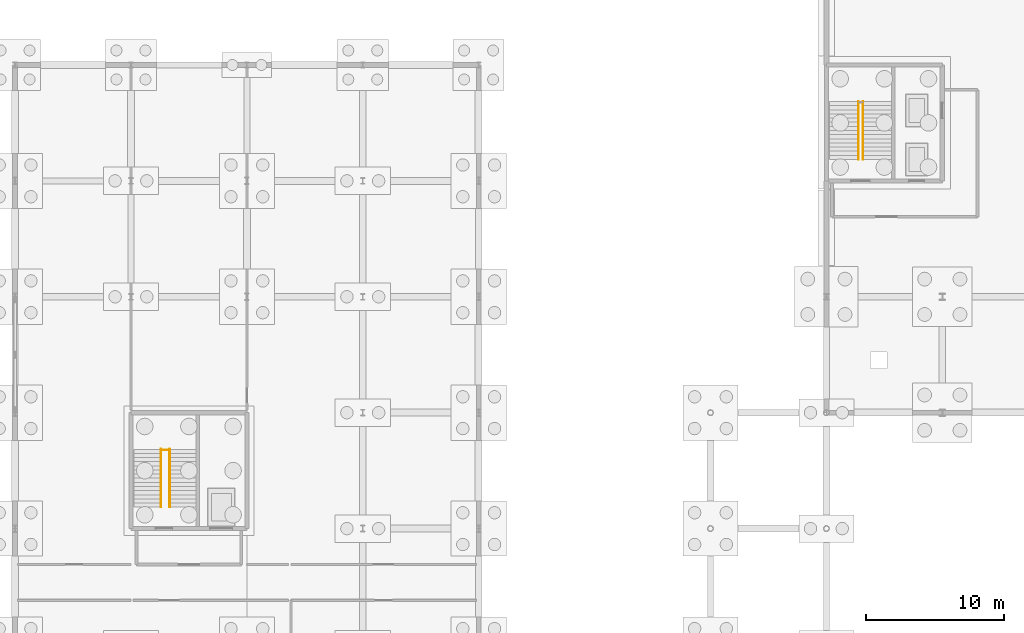
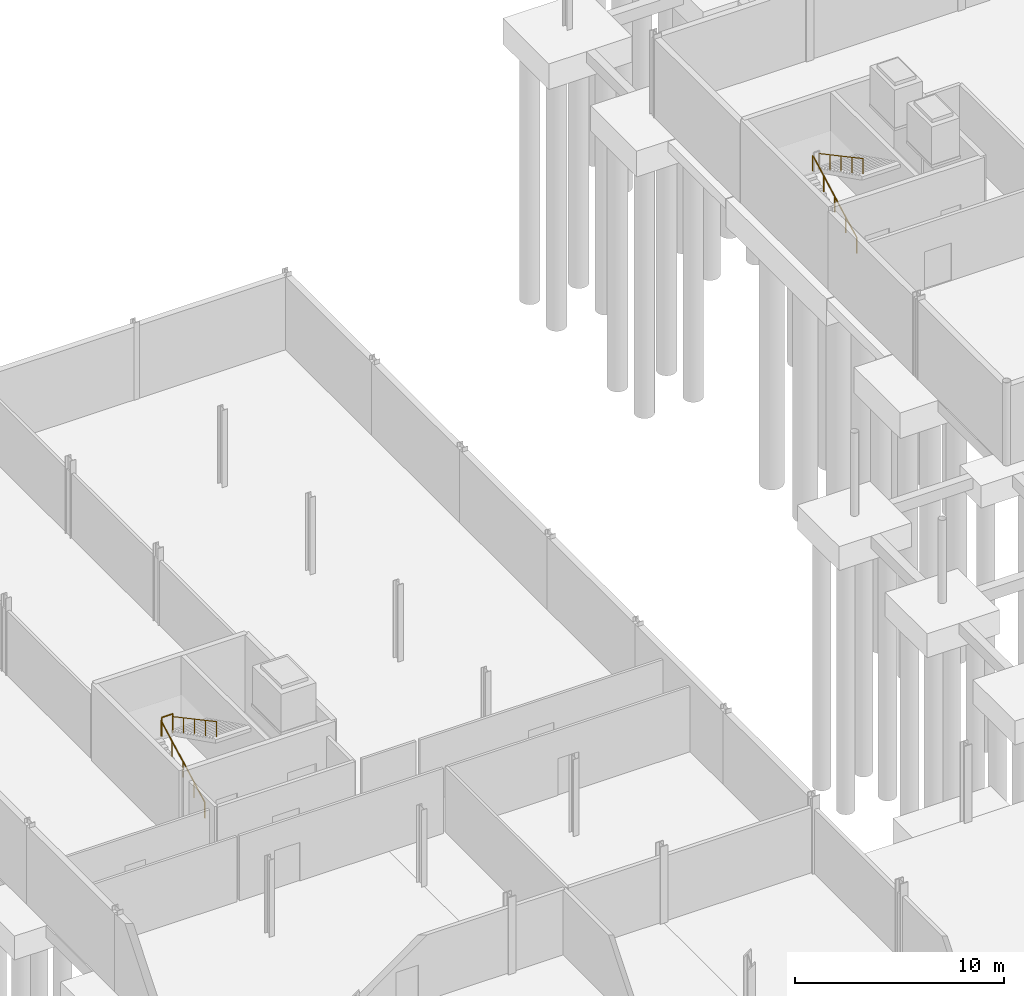
# One storey, part 47 of 51: 5 railings.
"""IFC4 building model written with IfcOpenShell, lengths in metres."""

from ifc_helpers import new_model, si_unit, direction, frame, origin, origin_2d, place, context, subcontext, project, spatial, circle, extrude, material, type_object, element, save


model = new_model("IFC4")

# Units and contexts
model_context = context("Model", 3, precision=1e-05, world=origin(), true_north=direction((0.0, 1.0)))
body_context = subcontext(model_context, "Body", "Model", "MODEL_VIEW")
ifc_project = project(units=[si_unit("LENGTHUNIT", "METRE"), si_unit("AREAUNIT", "SQUARE_METRE"), si_unit("VOLUMEUNIT", "CUBIC_METRE"), si_unit("PLANEANGLEUNIT", "RADIAN"), si_unit("MASSUNIT", "GRAM", prefix="KILO")], contexts=[model_context])

# Site, building, storey
site_placement = place(None, origin())
site = spatial("IfcSite", under=ifc_project, at=site_placement, CompositionType="ELEMENT")
building_placement = place(site_placement, origin())
building = spatial("IfcBuilding", under=site, at=building_placement, Name="Qalvenar Corner Mobility Hub", CompositionType="ELEMENT")
storey_placement = place(building_placement, frame((0.0, 0.0, -4.5)))
storey = spatial("IfcBuildingStorey", under=building, at=storey_placement, Name="B1", CompositionType="ELEMENT", Elevation=-4.5)

# Railings
ifc_material_1 = material(Name="Art Nouveau Bronze-Finished Steel Balustrade", Category="steel")
railing_type_1 = type_object("IfcRailingType", Name="RL-GUARD-110", PredefinedType="GUARDRAIL", material=ifc_material_1)
railing_1_placement = place(storey_placement, frame((10.590087890625, 64.5, 2.25)))
element("IfcRailing", 1, at=railing_1_placement, inside=storey, type_object=railing_type_1, Name="Stair Half-Landing Well Guard ST5-B1", PredefinedType="GUARDRAIL", context=body_context, shape_type="SweptSolid", body=[
    extrude(circle(Radius=0.02392578125, at=origin_2d()), frame((0.0, 0.0, 1.09619140625), z_axis=(1.0, 0.0, 0.0), x_axis=(0.0, 1.0, 0.0)), (0.0, 0.0, 1.0), 0.599853515625),
    extrude(circle(Radius=0.02099609375, at=origin_2d()), origin(), (0.0, 0.0, 1.0), 1.072021484375),
    extrude(circle(Radius=0.02099609375, at=origin_2d()), frame((0.599853515625, 0.0, 0.0)), (0.0, 0.0, 1.0), 1.072021484375),
])
ifc_material_2 = material(Name="Brushed Stainless Steel Handrail", Category="steel")
railing_type_2 = type_object("IfcRailingType", Name="RL-HAND-092", PredefinedType="HANDRAIL", material=ifc_material_2)
railing_2_placement = place(storey_placement, frame((61.1201171875, 85.550048828125, 0.0)))
element("IfcRailing", 2, at=railing_2_placement, inside=storey, type_object=railing_type_2, Name="Stair Handrail ST3-B1-1", PredefinedType="HANDRAIL", context=body_context, shape_type="SweptSolid", body=[
    extrude(circle(Radius=0.02392578125, at=origin_2d()), frame((0.0, 0.0, 0.89599609375), z_axis=(0.0, 0.881477684796, 0.472225678258), x_axis=(-1.0, 0.0, 0.0)), (0.0, 0.0, 1.0), 4.7646484375),
    extrude(circle(Radius=0.02099609375, at=origin_2d()), origin(), (0.0, 0.0, 1.0), 0.871826171875),
    extrude(circle(Radius=0.02099609375, at=origin_2d()), frame((0.0, 1.050048828125, 0.5625)), (0.0, 0.0, 1.0), 0.871826171875),
    extrude(circle(Radius=0.02099609375, at=origin_2d()), frame((0.0, 2.10009765625, 1.125)), (0.0, 0.0, 1.0), 0.871826171875),
    extrude(circle(Radius=0.02099609375, at=origin_2d()), frame((0.0, 3.14990234375, 1.6875)), (0.0, 0.0, 1.0), 0.871826171875),
    extrude(circle(Radius=0.02099609375, at=origin_2d()), frame((0.0, 4.199951171875, 2.25)), (0.0, 0.0, 1.0), 0.871826171875),
])
railing_3_placement = place(storey_placement, frame((61.4599609375, 89.75, 2.25)))
element("IfcRailing", 3, at=railing_3_placement, inside=storey, type_object=railing_type_2, Name="Stair Handrail ST3-B1-2", PredefinedType="HANDRAIL", context=body_context, shape_type="SweptSolid", body=[
    extrude(circle(Radius=0.02392578125, at=origin_2d()), frame((0.0, 0.0, 0.89599609375), z_axis=(0.0, -0.881477684796, 0.472225678258), x_axis=(1.0, 0.0, 0.0)), (0.0, 0.0, 1.0), 4.7646484375),
    extrude(circle(Radius=0.02099609375, at=origin_2d()), origin(), (0.0, 0.0, 1.0), 0.871826171875),
    extrude(circle(Radius=0.02099609375, at=origin_2d()), frame((0.0, -1.050048828125, 0.5625)), (0.0, 0.0, 1.0), 0.871826171875),
    extrude(circle(Radius=0.02099609375, at=origin_2d()), frame((0.0, -2.10009765625, 1.125)), (0.0, 0.0, 1.0), 0.871826171875),
    extrude(circle(Radius=0.02099609375, at=origin_2d()), frame((0.0, -3.14990234375, 1.6875)), (0.0, 0.0, 1.0), 0.871826171875),
    extrude(circle(Radius=0.02099609375, at=origin_2d()), frame((0.0, -4.199951171875, 2.25)), (0.0, 0.0, 1.0), 0.871826171875),
])
railing_4_placement = place(storey_placement, frame((10.570068359375, 60.35009765625, 0.0)))
element("IfcRailing", 4, at=railing_4_placement, inside=storey, type_object=railing_type_2, Name="Stair Handrail ST5-B1-1", PredefinedType="HANDRAIL", context=body_context, shape_type="SweptSolid", body=[
    extrude(circle(Radius=0.02392578125, at=origin_2d()), frame((0.0, 0.0, 0.89599609375), z_axis=(0.0, 0.881477684796, 0.472225678258), x_axis=(-1.0, 0.0, 0.0)), (0.0, 0.0, 1.0), 4.7646484375),
    extrude(circle(Radius=0.02099609375, at=origin_2d()), origin(), (0.0, 0.0, 1.0), 0.871826171875),
    extrude(circle(Radius=0.02099609375, at=origin_2d()), frame((0.0, 1.050048828125, 0.5625)), (0.0, 0.0, 1.0), 0.871826171875),
    extrude(circle(Radius=0.02099609375, at=origin_2d()), frame((0.0, 2.10009765625, 1.125)), (0.0, 0.0, 1.0), 0.871826171875),
    extrude(circle(Radius=0.02099609375, at=origin_2d()), frame((0.0, 3.14990234375, 1.6875)), (0.0, 0.0, 1.0), 0.871826171875),
    extrude(circle(Radius=0.02099609375, at=origin_2d()), frame((0.0, 4.199951171875, 2.25)), (0.0, 0.0, 1.0), 0.871826171875),
])
railing_5_placement = place(storey_placement, frame((11.2099609375, 64.550048828125, 2.25)))
element("IfcRailing", 5, at=railing_5_placement, inside=storey, type_object=railing_type_2, Name="Stair Handrail ST5-B1-2", PredefinedType="HANDRAIL", context=body_context, shape_type="SweptSolid", body=[
    extrude(circle(Radius=0.02392578125, at=origin_2d()), frame((0.0, 0.0, 0.89599609375), z_axis=(0.0, -0.881477684796, 0.472225678258), x_axis=(1.0, 0.0, 0.0)), (0.0, 0.0, 1.0), 4.7646484375),
    extrude(circle(Radius=0.02099609375, at=origin_2d()), origin(), (0.0, 0.0, 1.0), 0.871826171875),
    extrude(circle(Radius=0.02099609375, at=origin_2d()), frame((0.0, -1.050048828125, 0.5625)), (0.0, 0.0, 1.0), 0.871826171875),
    extrude(circle(Radius=0.02099609375, at=origin_2d()), frame((0.0, -2.10009765625, 1.125)), (0.0, 0.0, 1.0), 0.871826171875),
    extrude(circle(Radius=0.02099609375, at=origin_2d()), frame((0.0, -3.14990234375, 1.6875)), (0.0, 0.0, 1.0), 0.871826171875),
    extrude(circle(Radius=0.02099609375, at=origin_2d()), frame((0.0, -4.199951171875, 2.25)), (0.0, 0.0, 1.0), 0.871826171875),
])

save(model, "model.ifc")
